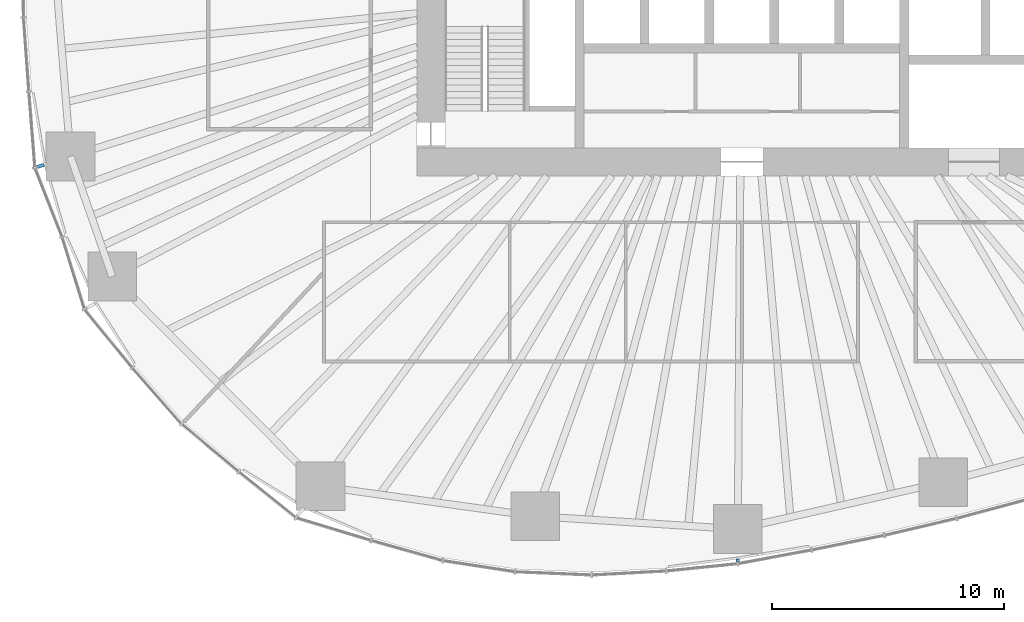
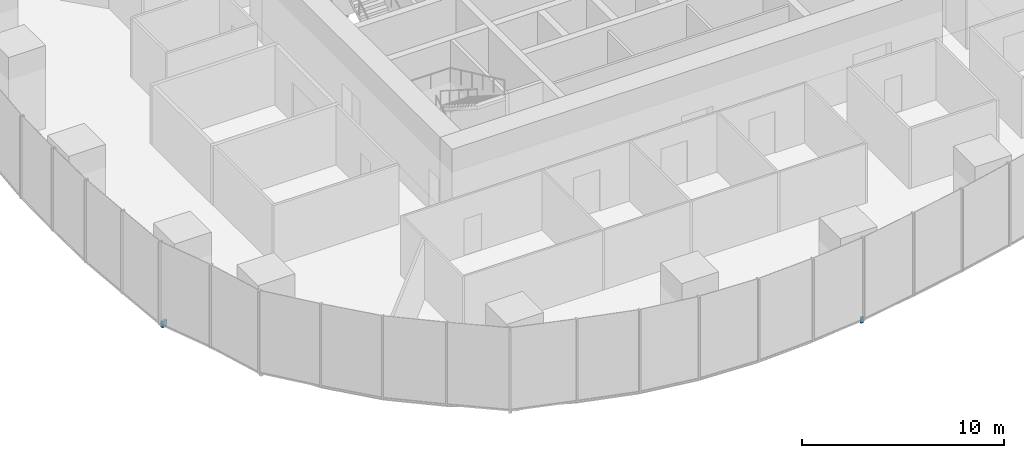
# One storey, part 13 of 20: 2 discrete accessories.
"""IFC4 building model written with IfcOpenShell, lengths in metres."""

import ifcopenshell
import ifcopenshell.guid

model = None  # the IFC model being written
_history = None  # IfcOwnerHistory: only IFC2X3 demands one
_inside = {}  # id of a spatial element -> (the spatial element, [elements in it])
_under = {}  # id of a project, library or spatial element -> (it, [spatial elements below it])
_declared = {}  # id of a project -> (the project, [libraries it declares])
_typed = {}  # id of a type object -> (the type object, [elements of that type])
_made_of = {}  # id of a material, layer set ... -> (it, [elements and type objects made of it])


def new_model(schema):
    """Start an empty IFC model of exactly this schema.

    Asked for "IFC4X3", IfcOpenShell would pick the latest addendum, in which some entities
    have other attributes; the version numbers below select the first issue.
    IFC2X3 requires an IfcOwnerHistory on every rooted entity: one is made here for all.
    """
    global model, _history
    if schema == "IFC4X3":
        model = ifcopenshell.file(schema_version=(4, 3, 0, 0))
    else:
        model = ifcopenshell.file(schema=schema)
    _inside.clear()
    _under.clear()
    _declared.clear()
    _typed.clear()
    _made_of.clear()
    _history = None
    if model.schema == "IFC2X3":
        org = make("IfcOrganization", Name="unknown")
        user = make(
            "IfcPersonAndOrganization",
            ThePerson=make("IfcPerson", FamilyName="unknown"),
            TheOrganization=org,
        )
        app = make(
            "IfcApplication",
            ApplicationDeveloper=org,
            Version="unknown",
            ApplicationFullName="unknown",
            ApplicationIdentifier="unknown",
        )
        _history = make(
            "IfcOwnerHistory",
            OwningUser=user,
            OwningApplication=app,
            ChangeAction="ADDED",
            CreationDate=0,
        )
    return model


def make(cls, **values):
    """One entity of the class cls with the attributes given. An attribute that is None is left unset."""
    return model.create_entity(
        cls, **{name: value for name, value in values.items() if value is not None}
    )


def rooted(cls, **values):
    """An entity with a GlobalId (a new one), such as an element, a storey or a relation."""
    return make(cls, GlobalId=ifcopenshell.guid.new(), OwnerHistory=_history, **values)


def si_unit(unit_type, name, prefix=None):
    """IfcSIUnit, for example si_unit("LENGTHUNIT", "METRE", prefix="MILLI")."""
    return make("IfcSIUnit", UnitType=unit_type, Prefix=prefix, Name=name)


def assignment(units):
    """IfcUnitAssignment: the units of a project."""
    return None if units is None else make("IfcUnitAssignment", Units=units)


def point(xyz):
    """IfcCartesianPoint."""
    return None if xyz is None else make("IfcCartesianPoint", Coordinates=xyz)


def direction(xyz):
    """IfcDirection."""
    return None if xyz is None else make("IfcDirection", DirectionRatios=xyz)


def frame(location, z_axis=None, x_axis=None):
    """IfcAxis2Placement3D, a coordinate frame: its origin and axes. An axis left out is left unset."""
    return make(
        "IfcAxis2Placement3D",
        Location=point(location),
        Axis=direction(z_axis),
        RefDirection=direction(x_axis),
    )


def frame_2d(location, x_axis=None):
    """IfcAxis2Placement2D, a coordinate frame in the plane: its origin and x axis."""
    return make(
        "IfcAxis2Placement2D", Location=point(location), RefDirection=direction(x_axis)
    )


def origin():
    """The frame at (0, 0, 0) with its axes left unset."""
    return frame((0.0, 0.0, 0.0))


def origin_2d():
    """The frame at (0, 0) in the plane with its x axis left unset."""
    return frame_2d((0.0, 0.0))


def place(relative_to, where):
    """IfcLocalPlacement: puts the frame where relative to a parent placement (None: the world)."""
    return make(
        "IfcLocalPlacement", PlacementRelTo=relative_to, RelativePlacement=where
    )


def context(
    kind, dimensions, precision=None, world=None, true_north=None, identifier=None
):
    """IfcGeometricRepresentationContext, for example the 3D "Model" context."""
    return make(
        "IfcGeometricRepresentationContext",
        ContextIdentifier=identifier,
        ContextType=kind,
        CoordinateSpaceDimension=dimensions,
        Precision=precision,
        WorldCoordinateSystem=world,
        TrueNorth=true_north,
    )


def subcontext(parent, identifier, kind, view, scale=None):
    """IfcGeometricRepresentationSubContext, for example "Body" below "Model"."""
    return make(
        "IfcGeometricRepresentationSubContext",
        ContextIdentifier=identifier,
        ContextType=kind,
        ParentContext=parent,
        TargetScale=scale,
        TargetView=view,
    )


def project(units=None, contexts=None):
    """IfcProject with its units and contexts."""
    return rooted(
        "IfcProject",
        Name="project",
        RepresentationContexts=contexts,
        UnitsInContext=assignment(units),
    )


def spatial(cls, under=None, at=None, **own):
    """A site, building, storey or space (cls), placed at a placement, below another one or the project."""
    s = rooted(cls, ObjectPlacement=at, **own)
    if under is not None:
        _under.setdefault(under.id(), (under, []))[1].append(s)
    return s


def profile(cls, at=None, kind="AREA", **sizes):
    """A parametric profile (cls). Its sizes go by their IFC names, for example OverallWidth=200.0."""
    return make(cls, ProfileType=kind, Position=at, **sizes)


def rectangle(**sizes):
    """IfcRectangleProfileDef."""
    return profile("IfcRectangleProfileDef", **sizes)


def extrude(swept, where, along, depth):
    """IfcExtrudedAreaSolid: the profile swept, set in the frame where, extruded along a direction by depth."""
    return make(
        "IfcExtrudedAreaSolid",
        SweptArea=swept,
        Position=where,
        ExtrudedDirection=direction(along),
        Depth=depth,
    )


def shape(context_of_items, identifier, shape_type, items):
    """IfcShapeRepresentation: the items that make up one representation, for example the "Body"."""
    return make(
        "IfcShapeRepresentation",
        ContextOfItems=context_of_items,
        RepresentationIdentifier=identifier,
        RepresentationType=shape_type,
        Items=items,
    )


def material(Name=None, Category=None):
    """IfcMaterial."""
    return make("IfcMaterial", Name=Name, Category=Category)


def made_of(thing, what):
    """Note that an element or type object is made of a material, layer set ...; save() writes the relation."""
    if what is not None:
        _made_of.setdefault(what.id(), (what, []))[1].append(thing)
    return thing


def type_object(cls, material=None, **own):
    """A type object (cls), such as IfcWallType, which elements share."""
    return made_of(rooted(cls, **own), material)


def element(
    cls,
    number,
    at=None,
    inside=None,
    cuts=None,
    type_object=None,
    material=None,
    context=None,
    identifier="Body",
    shape_type=None,
    held_by="IfcProductDefinitionShape",
    body=None,
    shapes=None,
    **own,
):
    """One element of the class cls, such as IfcWall. Its Tag is "e" and its number.

    at: its placement. inside: the storey or other place that contains it. cuts: it is an
    opening in that element (IfcRelVoidsElement). A single representation is given by context,
    identifier, shape_type and body (its items); several are given by shapes. held_by: the class
    of the entity that holds the representations. save() writes the other relations.
    """
    e = rooted(cls, Tag="e%d" % number, ObjectPlacement=at, **own)
    if body is not None:
        shapes = [shape(context, identifier, shape_type, body)]
    if shapes is not None:
        e.Representation = make(held_by, Representations=shapes)
    if inside is not None:
        _inside.setdefault(inside.id(), (inside, []))[1].append(e)
    if cuts is not None:
        rooted(
            "IfcRelVoidsElement", RelatingBuildingElement=cuts, RelatedOpeningElement=e
        )
    if type_object is not None:
        _typed.setdefault(type_object.id(), (type_object, []))[1].append(e)
    return made_of(e, material)


def aggregate(whole, parts):
    """IfcRelAggregates: a whole, such as a stair, and the parts it consists of."""
    return rooted("IfcRelAggregates", RelatingObject=whole, RelatedObjects=parts)


def save(model, path):
    """Write the relations noted so far, then the file.

    IfcRelAggregates (storeys below a building ...), IfcRelContainedInSpatialStructure (elements
    in a storey), IfcRelDefinesByType, IfcRelAssociatesMaterial and IfcRelDeclares: one each for
    every whole, place, type object, material and project.
    """
    for whole, parts in _under.values():
        aggregate(whole, parts)
    for where, things in _inside.values():
        rooted(
            "IfcRelContainedInSpatialStructure",
            RelatedElements=things,
            RelatingStructure=where,
        )
    for kind, things in _typed.values():
        rooted("IfcRelDefinesByType", RelatedObjects=things, RelatingType=kind)
    for what, things in _made_of.values():
        rooted("IfcRelAssociatesMaterial", RelatedObjects=things, RelatingMaterial=what)
    for by, libraries in _declared.values():
        rooted("IfcRelDeclares", RelatingContext=by, RelatedDefinitions=libraries)
    model.write(path)


model = new_model("IFC4")

# Units and contexts
model_context = context("Model", 3, precision=1e-05, world=origin(), true_north=direction((0.0, 1.0)))
body_context = subcontext(model_context, "Body", "Model", "MODEL_VIEW")
ifc_project = project(units=[si_unit("LENGTHUNIT", "METRE"), si_unit("AREAUNIT", "SQUARE_METRE"), si_unit("VOLUMEUNIT", "CUBIC_METRE"), si_unit("PLANEANGLEUNIT", "RADIAN"), si_unit("MASSUNIT", "GRAM", prefix="KILO")], contexts=[model_context])

# Site, building, storey
site_placement = place(None, origin())
site = spatial("IfcSite", under=ifc_project, at=site_placement, CompositionType="ELEMENT")
building_placement = place(site_placement, origin())
building = spatial("IfcBuilding", under=site, at=building_placement, Name="Ghaith Harvest Tower", CompositionType="ELEMENT")
storey_placement = place(building_placement, frame((0.0, 0.0, 25.0)))
storey = spatial("IfcBuildingStorey", under=building, at=storey_placement, Name="L05", CompositionType="ELEMENT", Elevation=25.0)

# Discrete accessories
ifc_material_1 = material(Name="Stainless steel grade 1.4401", Category="steel")
discrete_accessory_type_1 = type_object("IfcDiscreteAccessoryType", Name="CURTAIN WALL BRACKET 315", PredefinedType="BRACKET", material=ifc_material_1)
discrete_accessory_1_placement = place(storey_placement, frame((-30.219482421875, -9.5771484375, -0.25), z_axis=(0.0, 0.0, 1.0), x_axis=(-0.953273219416, -0.302109531701, 0.0)))
element("IfcDiscreteAccessory", 1, at=discrete_accessory_1_placement, inside=storey, type_object=discrete_accessory_type_1, Name="CW-F bracket 1 bay 12 L05", PredefinedType="BRACKET", context=body_context, shape_type="SweptSolid", body=[
    extrude(rectangle(XDim=0.31494140625, YDim=0.14990234375, at=origin_2d()), origin(), (0.0, 0.0, 1.0), 0.35009765625),
])
ifc_material_2 = material(Name="Stainless steel grade 1.4401", Category="steel")
discrete_accessory_type_2 = type_object("IfcDiscreteAccessoryType", Name="CURTAIN WALL BRACKET 95", PredefinedType="BRACKET", material=ifc_material_2)
discrete_accessory_2_placement = place(storey_placement, frame((-0.181884765625, -26.569580078125, -0.25), z_axis=(0.0, 0.0, 1.0), x_axis=(-0.006843747957, -0.999976581283, 0.0)))
element("IfcDiscreteAccessory", 2, at=discrete_accessory_2_placement, inside=storey, type_object=discrete_accessory_type_2, Name="CW-F bracket 1 bay 16 L05", PredefinedType="BRACKET", context=body_context, shape_type="SweptSolid", body=[
    extrude(rectangle(XDim=0.094970703125, YDim=0.14990234375, at=origin_2d()), origin(), (0.0, 0.0, 1.0), 0.35009765625),
])

save(model, "model.ifc")
